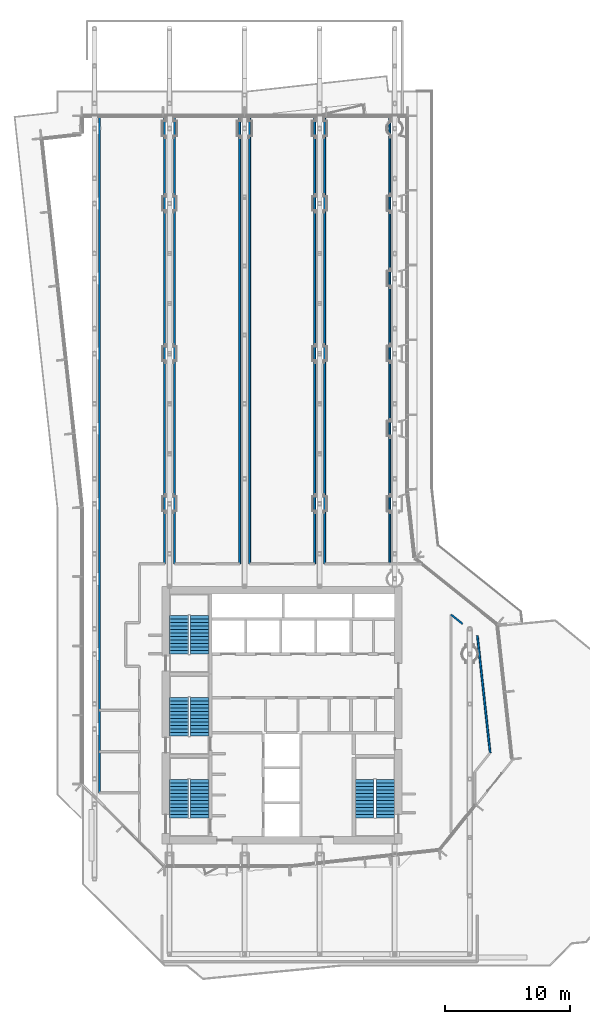
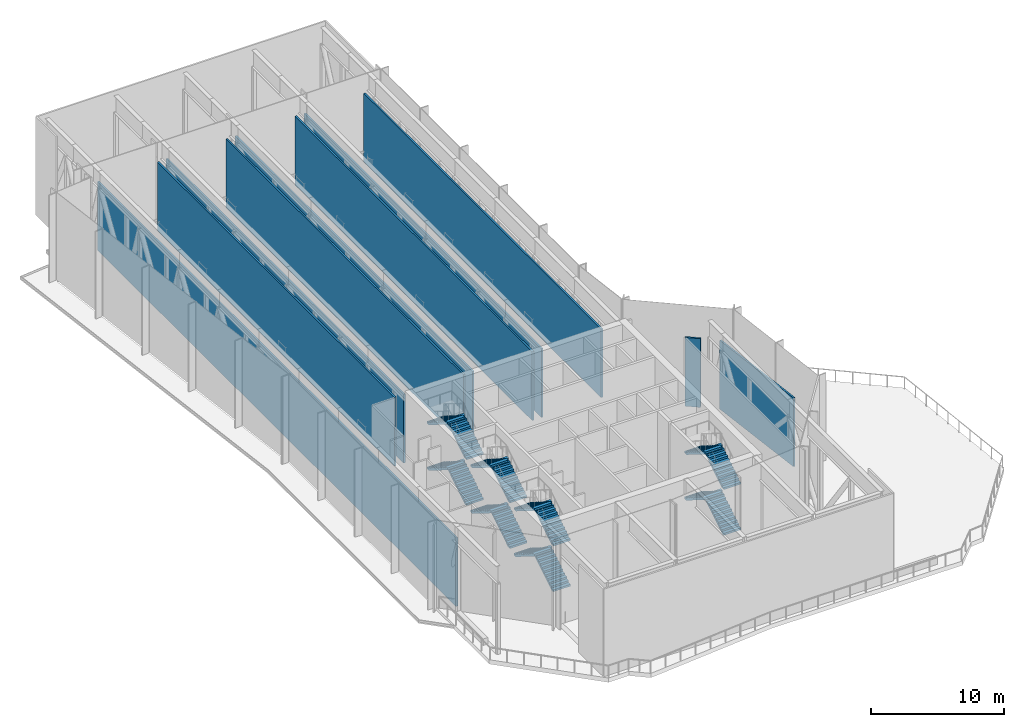
# One storey, part 14 of 22: 16 stair flights, 10 walls, 4 elements without a shape of their own.
"""IFC4 building model written with IfcOpenShell, lengths in metres."""

from ifc_helpers import new_model, si_unit, direction, frame, frame_2d, origin, place, context, subcontext, project, spatial, polyline, rectangle, outline, extrude, material, layer, layer_set, type_object, element, aggregate, save


model = new_model("IFC4")

# Units and contexts
model_context = context("Model", 3, precision=1e-05, world=origin(), true_north=direction((0.0, 1.0)))
body_context = subcontext(model_context, "Body", "Model", "MODEL_VIEW")
ifc_project = project(units=[si_unit("LENGTHUNIT", "METRE"), si_unit("AREAUNIT", "SQUARE_METRE"), si_unit("VOLUMEUNIT", "CUBIC_METRE"), si_unit("PLANEANGLEUNIT", "RADIAN"), si_unit("MASSUNIT", "GRAM", prefix="KILO")], contexts=[model_context])

# Site, building, storey
site_placement = place(None, origin())
site = spatial("IfcSite", under=ifc_project, at=site_placement, CompositionType="ELEMENT")
building_placement = place(site_placement, origin())
building = spatial("IfcBuilding", under=site, at=building_placement, Name="Welwitschia Terrace Campus", CompositionType="ELEMENT")
storey_placement = place(building_placement, frame((0.0, 0.0, 197.0)))
storey = spatial("IfcBuildingStorey", under=building, at=storey_placement, Name="L44", CompositionType="ELEMENT", Elevation=197.0)

# Walls
ifc_material_1 = material(Name="Gypsum board on steel studs", Category="steel")
ifc_layer = layer(ifc_material_1, 0.14990234375)
ifc_layer_set = layer_set([ifc_layer], Name="Gypsum board on steel studs")
wall_type = type_object("IfcWallType", Name="Corridor partition 150 EI 30", PredefinedType="PARTITIONING", material=ifc_layer_set)
wall_1_placement = place(storey_placement, frame((0.39990234375, 8.889892578125, 0.0), z_axis=(0.0, 0.0, 1.0), x_axis=(0.0, 1.0, 0.0)))
element("IfcWall", 1, at=wall_1_placement, inside=storey, type_object=wall_type, Name="Partition", PredefinedType="PARTITIONING", context=body_context, shape_type="SweptSolid", body=[
    extrude(rectangle(XDim=54.110107421875, YDim=0.14990234375, at=frame_2d((27.05517578125, 0.0))), origin(), (0.0, 0.0, 1.0), 6.330078125),
])
wall_2_placement = place(storey_placement, frame((5.60009765625, 27.199951171875, 0.0), z_axis=(0.0, 0.0, 1.0), x_axis=(0.0, 1.0, 0.0)))
element("IfcWall", 2, at=wall_2_placement, inside=storey, type_object=wall_type, Name="Partition", PredefinedType="PARTITIONING", context=body_context, shape_type="SweptSolid", body=[
    extrude(rectangle(XDim=35.76513671875, YDim=0.14990234375, at=frame_2d((17.882568359375, 0.0))), origin(), (0.0, 0.0, 1.0), 6.330078125),
])
for number, where, z_axis, x_axis, name in (
    (3, (6.39990234375, 27.199951171875, 0.0), (0.0, 0.0, 1.0), (0.0, 1.0, 0.0), "Partition"),
    (4, (11.60009765625, 27.199951171875, 0.0), (0.0, 0.0, 1.0), (0.0, 1.0, 0.0), "Partition"),
    (5, (12.39990234375, 27.199951171875, 0.0), (0.0, 0.0, 1.0), (0.0, 1.0, 0.0), "Partition"),
    (6, (17.60009765625, 27.199951171875, 0.0), (0.0, 0.0, 1.0), (0.0, 1.0, 0.0), "Partition"),
):
    element("IfcWall", number, at=place(storey_placement, frame(where, z_axis=z_axis, x_axis=x_axis)), inside=storey, type_object=wall_type, Name=name, PredefinedType="PARTITIONING", context=body_context, shape_type="SweptSolid", body=[
        extrude(rectangle(XDim=35.800048828125, YDim=0.14990234375, at=frame_2d((17.89990234375, 0.0))), origin(), (0.0, 0.0, 1.0), 6.330078125),
    ])
wall_3_placement = place(storey_placement, frame((18.39990234375, 27.199951171875, 0.0), z_axis=(0.0, 0.0, 1.0), x_axis=(0.0, 1.0, 0.0)))
element("IfcWall", 7, at=wall_3_placement, inside=storey, type_object=wall_type, Name="Partition", PredefinedType="PARTITIONING", context=body_context, shape_type="SweptSolid", body=[
    extrude(rectangle(XDim=35.76513671875, YDim=0.14990234375, at=frame_2d((17.882568359375, 0.0))), origin(), (0.0, 0.0, 1.0), 6.330078125),
])
wall_4_placement = place(storey_placement, frame((23.60009765625, 27.199951171875, 0.0), z_axis=(0.0, 0.0, 1.0), x_axis=(0.0, 1.0, 0.0)))
element("IfcWall", 8, at=wall_4_placement, inside=storey, type_object=wall_type, Name="Partition", PredefinedType="PARTITIONING", context=body_context, shape_type="SweptSolid", body=[
    extrude(rectangle(XDim=35.800048828125, YDim=0.14990234375, at=frame_2d((17.89990234375, 0.0))), origin(), (0.0, 0.0, 1.0), 6.330078125),
])
wall_5_placement = place(storey_placement, frame((28.5, 23.139892578125, 0.0), z_axis=(0.0, 0.0, 1.0), x_axis=(0.782489584665, -0.622663673174, 0.0)))
element("IfcWall", 9, at=wall_5_placement, inside=storey, type_object=wall_type, Name="Partition", PredefinedType="PARTITIONING", context=body_context, shape_type="SweptSolid", body=[
    extrude(rectangle(XDim=1.1884765625, YDim=0.14990234375, at=frame_2d((0.59423828125, 0.0))), origin(), (0.0, 0.0, 1.0), 6.330078125),
])
wall_6_placement = place(storey_placement, frame((30.610107421875, 21.449951171875, 0.0), z_axis=(0.0, 0.0, 1.0), x_axis=(0.108310995825, -0.994117059598, 0.0)))
element("IfcWall", 10, at=wall_6_placement, inside=storey, type_object=wall_type, Name="Partition", PredefinedType="PARTITIONING", context=body_context, shape_type="SweptSolid", body=[
    extrude(rectangle(XDim=9.415283203125, YDim=0.14990234375, at=frame_2d((4.70751953125, 0.0))), origin(), (0.0, 0.0, 1.0), 6.330078125),
])

# Stair, stair flights
ifc_material_2 = material(Name="Concrete C40/50", Category="concrete")
stair_type = type_object("IfcStairType", Name="Stair 48R 175 W1500", PredefinedType="HALF_TURN_STAIR", material=ifc_material_2)
stair_1_placement = place(storey_placement, origin())
stair_1 = element("IfcStair", 11, at=stair_1_placement, inside=storey, type_object=stair_type, Name="L44 Exit stair S1", PredefinedType="HALF_TURN_STAIR")
ifc_material_3 = material(Name="Concrete C40/50", Category="concrete")
stair_flight_type = type_object("IfcStairFlightType", Name="Stair flight 48R 175 W1500", PredefinedType="STRAIGHT", material=ifc_material_3)
stair_flight_1_placement = place(storey_placement, frame((8.39990234375, 6.89990234375, 0.0), z_axis=(0.0, 0.0, 1.0), x_axis=(0.0, 1.0, 0.0)))
stair_flight_1 = element("IfcStairFlight", 12, at=stair_flight_1_placement, type_object=stair_flight_type, Name="S1 flight 1", NumberOfRisers=12, NumberOfTreads=11, PredefinedType="STRAIGHT", RiserHeight=0.175, TreadLength=0.28, context=body_context, shape_type="SweptSolid", body=[
    extrude(outline(polyline([(0.0, 0.0), (0.0, 0.175048828125), (0.280029296875, 0.175048828125), (0.280029296875, 0.35009765625), (0.56005859375, 0.35009765625), (0.56005859375, 0.52490234375), (0.840087890625, 0.52490234375), (0.840087890625, 0.699951171875), (1.1201171875, 0.699951171875), (1.1201171875, 0.875), (1.39990234375, 0.875), (1.39990234375, 1.050048828125), (1.679931640625, 1.050048828125), (1.679931640625, 1.22509765625), (1.9599609375, 1.22509765625), (1.9599609375, 1.39990234375), (2.239990234375, 1.39990234375), (2.239990234375, 1.574951171875), (2.52001953125, 1.574951171875), (2.52001953125, 1.75), (2.800048828125, 1.75), (2.800048828125, 1.925048828125), (3.080078125, 1.925048828125), (3.080078125, 2.10009765625), (3.080078125, 1.748291015625), (0.28271484375, 0.0), (0.0, 0.0)])), frame((0.0, 0.75, 0.0), z_axis=(0.0, -1.0, 0.0), x_axis=(1.0, 0.0, 0.0)), (0.0, 0.0, 1.0), 1.5),
])
stair_flight_2_placement = place(storey_placement, frame((6.75, 9.97998046875, 2.10009765625), z_axis=(0.0, 0.0, 1.0), x_axis=(0.0, -1.0, 0.0)))
stair_flight_2 = element("IfcStairFlight", 13, at=stair_flight_2_placement, type_object=stair_flight_type, Name="S1 flight 2", NumberOfRisers=12, NumberOfTreads=11, PredefinedType="STRAIGHT", RiserHeight=0.175, TreadLength=0.28, context=body_context, shape_type="SweptSolid", body=[
    extrude(outline(polyline([(0.0, 0.0), (0.0, 0.175048828125), (0.280029296875, 0.175048828125), (0.280029296875, 0.35009765625), (0.56005859375, 0.35009765625), (0.56005859375, 0.52490234375), (0.840087890625, 0.52490234375), (0.840087890625, 0.699951171875), (1.1201171875, 0.699951171875), (1.1201171875, 0.875), (1.39990234375, 0.875), (1.39990234375, 1.050048828125), (1.679931640625, 1.050048828125), (1.679931640625, 1.22509765625), (1.9599609375, 1.22509765625), (1.9599609375, 1.39990234375), (2.239990234375, 1.39990234375), (2.239990234375, 1.574951171875), (2.52001953125, 1.574951171875), (2.52001953125, 1.75), (2.800048828125, 1.75), (2.800048828125, 1.925048828125), (3.080078125, 1.925048828125), (3.080078125, 2.10009765625), (3.080078125, 1.748291015625), (0.28271484375, 0.0), (0.0, 0.0)])), frame((0.0, 0.75, 0.0), z_axis=(0.0, -1.0, 0.0), x_axis=(1.0, 0.0, 0.0)), (0.0, 0.0, 1.0), 1.5),
])
stair_flight_3_placement = place(storey_placement, frame((8.39990234375, 6.89990234375, 4.199951171875), z_axis=(0.0, 0.0, 1.0), x_axis=(0.0, 1.0, 0.0)))
stair_flight_3 = element("IfcStairFlight", 14, at=stair_flight_3_placement, type_object=stair_flight_type, Name="S1 flight 3", NumberOfRisers=12, NumberOfTreads=11, PredefinedType="STRAIGHT", RiserHeight=0.175, TreadLength=0.28, context=body_context, shape_type="SweptSolid", body=[
    extrude(outline(polyline([(0.0, 0.0), (0.0, 0.175048828125), (0.280029296875, 0.175048828125), (0.280029296875, 0.35009765625), (0.56005859375, 0.35009765625), (0.56005859375, 0.52490234375), (0.840087890625, 0.52490234375), (0.840087890625, 0.699951171875), (1.1201171875, 0.699951171875), (1.1201171875, 0.875), (1.39990234375, 0.875), (1.39990234375, 1.050048828125), (1.679931640625, 1.050048828125), (1.679931640625, 1.22509765625), (1.9599609375, 1.22509765625), (1.9599609375, 1.39990234375), (2.239990234375, 1.39990234375), (2.239990234375, 1.574951171875), (2.52001953125, 1.574951171875), (2.52001953125, 1.75), (2.800048828125, 1.75), (2.800048828125, 1.925048828125), (3.080078125, 1.925048828125), (3.080078125, 2.10009765625), (3.080078125, 1.748291015625), (0.28271484375, 0.0), (0.0, 0.0)])), frame((0.0, 0.75, 0.0), z_axis=(0.0, -1.0, 0.0), x_axis=(1.0, 0.0, 0.0)), (0.0, 0.0, 1.0), 1.5),
])
stair_flight_4_placement = place(storey_placement, frame((6.75, 9.97998046875, 6.300048828125), z_axis=(0.0, 0.0, 1.0), x_axis=(0.0, -1.0, 0.0)))
stair_flight_4 = element("IfcStairFlight", 15, at=stair_flight_4_placement, type_object=stair_flight_type, Name="S1 flight 4", NumberOfRisers=12, NumberOfTreads=11, PredefinedType="STRAIGHT", RiserHeight=0.175, TreadLength=0.28, context=body_context, shape_type="SweptSolid", body=[
    extrude(outline(polyline([(0.0, 0.0), (0.0, 0.175048828125), (0.280029296875, 0.175048828125), (0.280029296875, 0.35009765625), (0.56005859375, 0.35009765625), (0.56005859375, 0.52490234375), (0.840087890625, 0.52490234375), (0.840087890625, 0.699951171875), (1.1201171875, 0.699951171875), (1.1201171875, 0.875), (1.39990234375, 0.875), (1.39990234375, 1.050048828125), (1.679931640625, 1.050048828125), (1.679931640625, 1.22509765625), (1.9599609375, 1.22509765625), (1.9599609375, 1.39990234375), (2.239990234375, 1.39990234375), (2.239990234375, 1.574951171875), (2.52001953125, 1.574951171875), (2.52001953125, 1.75), (2.800048828125, 1.75), (2.800048828125, 1.925048828125), (3.080078125, 1.925048828125), (3.080078125, 2.10009765625), (3.080078125, 1.748291015625), (0.28271484375, 0.0), (0.0, 0.0)])), frame((0.0, 0.75, 0.0), z_axis=(0.0, -1.0, 0.0), x_axis=(1.0, 0.0, 0.0)), (0.0, 0.0, 1.0), 1.5),
])
aggregate(stair_1, [stair_flight_1, stair_flight_2, stair_flight_3, stair_flight_4])

stair_2_placement = place(storey_placement, origin())
stair_2 = element("IfcStair", 16, at=stair_2_placement, inside=storey, type_object=stair_type, Name="L44 Exit stair S3", PredefinedType="HALF_TURN_STAIR")
stair_flight_5_placement = place(storey_placement, frame((8.39990234375, 13.449951171875, 0.0), z_axis=(0.0, 0.0, 1.0), x_axis=(0.0, 1.0, 0.0)))
stair_flight_5 = element("IfcStairFlight", 17, at=stair_flight_5_placement, type_object=stair_flight_type, Name="S3 flight 1", NumberOfRisers=12, NumberOfTreads=11, PredefinedType="STRAIGHT", RiserHeight=0.175, TreadLength=0.28, context=body_context, shape_type="SweptSolid", body=[
    extrude(outline(polyline([(0.0, 0.0), (0.0, 0.175048828125), (0.280029296875, 0.175048828125), (0.280029296875, 0.35009765625), (0.56005859375, 0.35009765625), (0.56005859375, 0.52490234375), (0.840087890625, 0.52490234375), (0.840087890625, 0.699951171875), (1.1201171875, 0.699951171875), (1.1201171875, 0.875), (1.39990234375, 0.875), (1.39990234375, 1.050048828125), (1.679931640625, 1.050048828125), (1.679931640625, 1.22509765625), (1.9599609375, 1.22509765625), (1.9599609375, 1.39990234375), (2.239990234375, 1.39990234375), (2.239990234375, 1.574951171875), (2.52001953125, 1.574951171875), (2.52001953125, 1.75), (2.800048828125, 1.75), (2.800048828125, 1.925048828125), (3.080078125, 1.925048828125), (3.080078125, 2.10009765625), (3.080078125, 1.748291015625), (0.28271484375, 0.0), (0.0, 0.0)])), frame((0.0, 0.75, 0.0), z_axis=(0.0, -1.0, 0.0), x_axis=(1.0, 0.0, 0.0)), (0.0, 0.0, 1.0), 1.5),
])
stair_flight_6_placement = place(storey_placement, frame((6.75, 16.530029296875, 2.10009765625), z_axis=(0.0, 0.0, 1.0), x_axis=(0.0, -1.0, 0.0)))
stair_flight_6 = element("IfcStairFlight", 18, at=stair_flight_6_placement, type_object=stair_flight_type, Name="S3 flight 2", NumberOfRisers=12, NumberOfTreads=11, PredefinedType="STRAIGHT", RiserHeight=0.175, TreadLength=0.28, context=body_context, shape_type="SweptSolid", body=[
    extrude(outline(polyline([(0.0, 0.0), (0.0, 0.175048828125), (0.280029296875, 0.175048828125), (0.280029296875, 0.35009765625), (0.56005859375, 0.35009765625), (0.56005859375, 0.52490234375), (0.840087890625, 0.52490234375), (0.840087890625, 0.699951171875), (1.1201171875, 0.699951171875), (1.1201171875, 0.875), (1.39990234375, 0.875), (1.39990234375, 1.050048828125), (1.679931640625, 1.050048828125), (1.679931640625, 1.22509765625), (1.9599609375, 1.22509765625), (1.9599609375, 1.39990234375), (2.239990234375, 1.39990234375), (2.239990234375, 1.574951171875), (2.52001953125, 1.574951171875), (2.52001953125, 1.75), (2.800048828125, 1.75), (2.800048828125, 1.925048828125), (3.080078125, 1.925048828125), (3.080078125, 2.10009765625), (3.080078125, 1.748291015625), (0.28271484375, 0.0), (0.0, 0.0)])), frame((0.0, 0.75, 0.0), z_axis=(0.0, -1.0, 0.0), x_axis=(1.0, 0.0, 0.0)), (0.0, 0.0, 1.0), 1.5),
])
stair_flight_7_placement = place(storey_placement, frame((8.39990234375, 13.449951171875, 4.199951171875), z_axis=(0.0, 0.0, 1.0), x_axis=(0.0, 1.0, 0.0)))
stair_flight_7 = element("IfcStairFlight", 19, at=stair_flight_7_placement, type_object=stair_flight_type, Name="S3 flight 3", NumberOfRisers=12, NumberOfTreads=11, PredefinedType="STRAIGHT", RiserHeight=0.175, TreadLength=0.28, context=body_context, shape_type="SweptSolid", body=[
    extrude(outline(polyline([(0.0, 0.0), (0.0, 0.175048828125), (0.280029296875, 0.175048828125), (0.280029296875, 0.35009765625), (0.56005859375, 0.35009765625), (0.56005859375, 0.52490234375), (0.840087890625, 0.52490234375), (0.840087890625, 0.699951171875), (1.1201171875, 0.699951171875), (1.1201171875, 0.875), (1.39990234375, 0.875), (1.39990234375, 1.050048828125), (1.679931640625, 1.050048828125), (1.679931640625, 1.22509765625), (1.9599609375, 1.22509765625), (1.9599609375, 1.39990234375), (2.239990234375, 1.39990234375), (2.239990234375, 1.574951171875), (2.52001953125, 1.574951171875), (2.52001953125, 1.75), (2.800048828125, 1.75), (2.800048828125, 1.925048828125), (3.080078125, 1.925048828125), (3.080078125, 2.10009765625), (3.080078125, 1.748291015625), (0.28271484375, 0.0), (0.0, 0.0)])), frame((0.0, 0.75, 0.0), z_axis=(0.0, -1.0, 0.0), x_axis=(1.0, 0.0, 0.0)), (0.0, 0.0, 1.0), 1.5),
])
stair_flight_8_placement = place(storey_placement, frame((6.75, 16.530029296875, 6.300048828125), z_axis=(0.0, 0.0, 1.0), x_axis=(0.0, -1.0, 0.0)))
stair_flight_8 = element("IfcStairFlight", 20, at=stair_flight_8_placement, type_object=stair_flight_type, Name="S3 flight 4", NumberOfRisers=12, NumberOfTreads=11, PredefinedType="STRAIGHT", RiserHeight=0.175, TreadLength=0.28, context=body_context, shape_type="SweptSolid", body=[
    extrude(outline(polyline([(0.0, 0.0), (0.0, 0.175048828125), (0.280029296875, 0.175048828125), (0.280029296875, 0.35009765625), (0.56005859375, 0.35009765625), (0.56005859375, 0.52490234375), (0.840087890625, 0.52490234375), (0.840087890625, 0.699951171875), (1.1201171875, 0.699951171875), (1.1201171875, 0.875), (1.39990234375, 0.875), (1.39990234375, 1.050048828125), (1.679931640625, 1.050048828125), (1.679931640625, 1.22509765625), (1.9599609375, 1.22509765625), (1.9599609375, 1.39990234375), (2.239990234375, 1.39990234375), (2.239990234375, 1.574951171875), (2.52001953125, 1.574951171875), (2.52001953125, 1.75), (2.800048828125, 1.75), (2.800048828125, 1.925048828125), (3.080078125, 1.925048828125), (3.080078125, 2.10009765625), (3.080078125, 1.748291015625), (0.28271484375, 0.0), (0.0, 0.0)])), frame((0.0, 0.75, 0.0), z_axis=(0.0, -1.0, 0.0), x_axis=(1.0, 0.0, 0.0)), (0.0, 0.0, 1.0), 1.5),
])
aggregate(stair_2, [stair_flight_5, stair_flight_6, stair_flight_7, stair_flight_8])

stair_3_placement = place(storey_placement, origin())
stair_3 = element("IfcStair", 21, at=stair_3_placement, inside=storey, type_object=stair_type, Name="L44 Exit stair S4", PredefinedType="HALF_TURN_STAIR")
stair_flight_9_placement = place(storey_placement, frame((8.39990234375, 20.0, 0.0), z_axis=(0.0, 0.0, 1.0), x_axis=(0.0, 1.0, 0.0)))
stair_flight_9 = element("IfcStairFlight", 22, at=stair_flight_9_placement, type_object=stair_flight_type, Name="S4 flight 1", NumberOfRisers=12, NumberOfTreads=11, PredefinedType="STRAIGHT", RiserHeight=0.175, TreadLength=0.28, context=body_context, shape_type="SweptSolid", body=[
    extrude(outline(polyline([(0.0, 0.0), (0.0, 0.175048828125), (0.280029296875, 0.175048828125), (0.280029296875, 0.35009765625), (0.56005859375, 0.35009765625), (0.56005859375, 0.52490234375), (0.840087890625, 0.52490234375), (0.840087890625, 0.699951171875), (1.1201171875, 0.699951171875), (1.1201171875, 0.875), (1.39990234375, 0.875), (1.39990234375, 1.050048828125), (1.679931640625, 1.050048828125), (1.679931640625, 1.22509765625), (1.9599609375, 1.22509765625), (1.9599609375, 1.39990234375), (2.239990234375, 1.39990234375), (2.239990234375, 1.574951171875), (2.52001953125, 1.574951171875), (2.52001953125, 1.75), (2.800048828125, 1.75), (2.800048828125, 1.925048828125), (3.080078125, 1.925048828125), (3.080078125, 2.10009765625), (3.080078125, 1.748291015625), (0.28271484375, 0.0), (0.0, 0.0)])), frame((0.0, 0.75, 0.0), z_axis=(0.0, -1.0, 0.0), x_axis=(1.0, 0.0, 0.0)), (0.0, 0.0, 1.0), 1.5),
])
stair_flight_10_placement = place(storey_placement, frame((6.75, 23.080078125, 2.10009765625), z_axis=(0.0, 0.0, 1.0), x_axis=(0.0, -1.0, 0.0)))
stair_flight_10 = element("IfcStairFlight", 23, at=stair_flight_10_placement, type_object=stair_flight_type, Name="S4 flight 2", NumberOfRisers=12, NumberOfTreads=11, PredefinedType="STRAIGHT", RiserHeight=0.175, TreadLength=0.28, context=body_context, shape_type="SweptSolid", body=[
    extrude(outline(polyline([(0.0, 0.0), (0.0, 0.175048828125), (0.280029296875, 0.175048828125), (0.280029296875, 0.35009765625), (0.56005859375, 0.35009765625), (0.56005859375, 0.52490234375), (0.840087890625, 0.52490234375), (0.840087890625, 0.699951171875), (1.1201171875, 0.699951171875), (1.1201171875, 0.875), (1.39990234375, 0.875), (1.39990234375, 1.050048828125), (1.679931640625, 1.050048828125), (1.679931640625, 1.22509765625), (1.9599609375, 1.22509765625), (1.9599609375, 1.39990234375), (2.239990234375, 1.39990234375), (2.239990234375, 1.574951171875), (2.52001953125, 1.574951171875), (2.52001953125, 1.75), (2.800048828125, 1.75), (2.800048828125, 1.925048828125), (3.080078125, 1.925048828125), (3.080078125, 2.10009765625), (3.080078125, 1.748291015625), (0.28271484375, 0.0), (0.0, 0.0)])), frame((0.0, 0.75, 0.0), z_axis=(0.0, -1.0, 0.0), x_axis=(1.0, 0.0, 0.0)), (0.0, 0.0, 1.0), 1.5),
])
stair_flight_11_placement = place(storey_placement, frame((8.39990234375, 20.0, 4.199951171875), z_axis=(0.0, 0.0, 1.0), x_axis=(0.0, 1.0, 0.0)))
stair_flight_11 = element("IfcStairFlight", 24, at=stair_flight_11_placement, type_object=stair_flight_type, Name="S4 flight 3", NumberOfRisers=12, NumberOfTreads=11, PredefinedType="STRAIGHT", RiserHeight=0.175, TreadLength=0.28, context=body_context, shape_type="SweptSolid", body=[
    extrude(outline(polyline([(0.0, 0.0), (0.0, 0.175048828125), (0.280029296875, 0.175048828125), (0.280029296875, 0.35009765625), (0.56005859375, 0.35009765625), (0.56005859375, 0.52490234375), (0.840087890625, 0.52490234375), (0.840087890625, 0.699951171875), (1.1201171875, 0.699951171875), (1.1201171875, 0.875), (1.39990234375, 0.875), (1.39990234375, 1.050048828125), (1.679931640625, 1.050048828125), (1.679931640625, 1.22509765625), (1.9599609375, 1.22509765625), (1.9599609375, 1.39990234375), (2.239990234375, 1.39990234375), (2.239990234375, 1.574951171875), (2.52001953125, 1.574951171875), (2.52001953125, 1.75), (2.800048828125, 1.75), (2.800048828125, 1.925048828125), (3.080078125, 1.925048828125), (3.080078125, 2.10009765625), (3.080078125, 1.748291015625), (0.28271484375, 0.0), (0.0, 0.0)])), frame((0.0, 0.75, 0.0), z_axis=(0.0, -1.0, 0.0), x_axis=(1.0, 0.0, 0.0)), (0.0, 0.0, 1.0), 1.5),
])
stair_flight_12_placement = place(storey_placement, frame((6.75, 23.080078125, 6.300048828125), z_axis=(0.0, 0.0, 1.0), x_axis=(0.0, -1.0, 0.0)))
stair_flight_12 = element("IfcStairFlight", 25, at=stair_flight_12_placement, type_object=stair_flight_type, Name="S4 flight 4", NumberOfRisers=12, NumberOfTreads=11, PredefinedType="STRAIGHT", RiserHeight=0.175, TreadLength=0.28, context=body_context, shape_type="SweptSolid", body=[
    extrude(outline(polyline([(0.0, 0.0), (0.0, 0.175048828125), (0.280029296875, 0.175048828125), (0.280029296875, 0.35009765625), (0.56005859375, 0.35009765625), (0.56005859375, 0.52490234375), (0.840087890625, 0.52490234375), (0.840087890625, 0.699951171875), (1.1201171875, 0.699951171875), (1.1201171875, 0.875), (1.39990234375, 0.875), (1.39990234375, 1.050048828125), (1.679931640625, 1.050048828125), (1.679931640625, 1.22509765625), (1.9599609375, 1.22509765625), (1.9599609375, 1.39990234375), (2.239990234375, 1.39990234375), (2.239990234375, 1.574951171875), (2.52001953125, 1.574951171875), (2.52001953125, 1.75), (2.800048828125, 1.75), (2.800048828125, 1.925048828125), (3.080078125, 1.925048828125), (3.080078125, 2.10009765625), (3.080078125, 1.748291015625), (0.28271484375, 0.0), (0.0, 0.0)])), frame((0.0, 0.75, 0.0), z_axis=(0.0, -1.0, 0.0), x_axis=(1.0, 0.0, 0.0)), (0.0, 0.0, 1.0), 1.5),
])
aggregate(stair_3, [stair_flight_9, stair_flight_10, stair_flight_11, stair_flight_12])

stair_4_placement = place(storey_placement, origin())
stair_4 = element("IfcStair", 26, at=stair_4_placement, inside=storey, type_object=stair_type, Name="L44 Exit stair S2", PredefinedType="HALF_TURN_STAIR")
stair_flight_13_placement = place(storey_placement, frame((23.25, 6.89990234375, 0.0), z_axis=(0.0, 0.0, 1.0), x_axis=(0.0, 1.0, 0.0)))
stair_flight_13 = element("IfcStairFlight", 27, at=stair_flight_13_placement, type_object=stair_flight_type, Name="S2 flight 1", NumberOfRisers=12, NumberOfTreads=11, PredefinedType="STRAIGHT", RiserHeight=0.175, TreadLength=0.28, context=body_context, shape_type="SweptSolid", body=[
    extrude(outline(polyline([(0.0, 0.0), (0.0, 0.175048828125), (0.280029296875, 0.175048828125), (0.280029296875, 0.35009765625), (0.56005859375, 0.35009765625), (0.56005859375, 0.52490234375), (0.840087890625, 0.52490234375), (0.840087890625, 0.699951171875), (1.1201171875, 0.699951171875), (1.1201171875, 0.875), (1.39990234375, 0.875), (1.39990234375, 1.050048828125), (1.679931640625, 1.050048828125), (1.679931640625, 1.22509765625), (1.9599609375, 1.22509765625), (1.9599609375, 1.39990234375), (2.239990234375, 1.39990234375), (2.239990234375, 1.574951171875), (2.52001953125, 1.574951171875), (2.52001953125, 1.75), (2.800048828125, 1.75), (2.800048828125, 1.925048828125), (3.080078125, 1.925048828125), (3.080078125, 2.10009765625), (3.080078125, 1.748291015625), (0.28271484375, 0.0), (0.0, 0.0)])), frame((0.0, 0.75, 0.0), z_axis=(0.0, -1.0, 0.0), x_axis=(1.0, 0.0, 0.0)), (0.0, 0.0, 1.0), 1.5),
])
stair_flight_14_placement = place(storey_placement, frame((21.60009765625, 9.97998046875, 2.10009765625), z_axis=(0.0, 0.0, 1.0), x_axis=(0.0, -1.0, 0.0)))
stair_flight_14 = element("IfcStairFlight", 28, at=stair_flight_14_placement, type_object=stair_flight_type, Name="S2 flight 2", NumberOfRisers=12, NumberOfTreads=11, PredefinedType="STRAIGHT", RiserHeight=0.175, TreadLength=0.28, context=body_context, shape_type="SweptSolid", body=[
    extrude(outline(polyline([(0.0, 0.0), (0.0, 0.175048828125), (0.280029296875, 0.175048828125), (0.280029296875, 0.35009765625), (0.56005859375, 0.35009765625), (0.56005859375, 0.52490234375), (0.840087890625, 0.52490234375), (0.840087890625, 0.699951171875), (1.1201171875, 0.699951171875), (1.1201171875, 0.875), (1.39990234375, 0.875), (1.39990234375, 1.050048828125), (1.679931640625, 1.050048828125), (1.679931640625, 1.22509765625), (1.9599609375, 1.22509765625), (1.9599609375, 1.39990234375), (2.239990234375, 1.39990234375), (2.239990234375, 1.574951171875), (2.52001953125, 1.574951171875), (2.52001953125, 1.75), (2.800048828125, 1.75), (2.800048828125, 1.925048828125), (3.080078125, 1.925048828125), (3.080078125, 2.10009765625), (3.080078125, 1.748291015625), (0.28271484375, 0.0), (0.0, 0.0)])), frame((0.0, 0.75, 0.0), z_axis=(0.0, -1.0, 0.0), x_axis=(1.0, 0.0, 0.0)), (0.0, 0.0, 1.0), 1.5),
])
stair_flight_15_placement = place(storey_placement, frame((23.25, 6.89990234375, 4.199951171875), z_axis=(0.0, 0.0, 1.0), x_axis=(0.0, 1.0, 0.0)))
stair_flight_15 = element("IfcStairFlight", 29, at=stair_flight_15_placement, type_object=stair_flight_type, Name="S2 flight 3", NumberOfRisers=12, NumberOfTreads=11, PredefinedType="STRAIGHT", RiserHeight=0.175, TreadLength=0.28, context=body_context, shape_type="SweptSolid", body=[
    extrude(outline(polyline([(0.0, 0.0), (0.0, 0.175048828125), (0.280029296875, 0.175048828125), (0.280029296875, 0.35009765625), (0.56005859375, 0.35009765625), (0.56005859375, 0.52490234375), (0.840087890625, 0.52490234375), (0.840087890625, 0.699951171875), (1.1201171875, 0.699951171875), (1.1201171875, 0.875), (1.39990234375, 0.875), (1.39990234375, 1.050048828125), (1.679931640625, 1.050048828125), (1.679931640625, 1.22509765625), (1.9599609375, 1.22509765625), (1.9599609375, 1.39990234375), (2.239990234375, 1.39990234375), (2.239990234375, 1.574951171875), (2.52001953125, 1.574951171875), (2.52001953125, 1.75), (2.800048828125, 1.75), (2.800048828125, 1.925048828125), (3.080078125, 1.925048828125), (3.080078125, 2.10009765625), (3.080078125, 1.748291015625), (0.28271484375, 0.0), (0.0, 0.0)])), frame((0.0, 0.75, 0.0), z_axis=(0.0, -1.0, 0.0), x_axis=(1.0, 0.0, 0.0)), (0.0, 0.0, 1.0), 1.5),
])
stair_flight_16_placement = place(storey_placement, frame((21.60009765625, 9.97998046875, 6.300048828125), z_axis=(0.0, 0.0, 1.0), x_axis=(0.0, -1.0, 0.0)))
stair_flight_16 = element("IfcStairFlight", 30, at=stair_flight_16_placement, type_object=stair_flight_type, Name="S2 flight 4", NumberOfRisers=12, NumberOfTreads=11, PredefinedType="STRAIGHT", RiserHeight=0.175, TreadLength=0.28, context=body_context, shape_type="SweptSolid", body=[
    extrude(outline(polyline([(0.0, 0.0), (0.0, 0.175048828125), (0.280029296875, 0.175048828125), (0.280029296875, 0.35009765625), (0.56005859375, 0.35009765625), (0.56005859375, 0.52490234375), (0.840087890625, 0.52490234375), (0.840087890625, 0.699951171875), (1.1201171875, 0.699951171875), (1.1201171875, 0.875), (1.39990234375, 0.875), (1.39990234375, 1.050048828125), (1.679931640625, 1.050048828125), (1.679931640625, 1.22509765625), (1.9599609375, 1.22509765625), (1.9599609375, 1.39990234375), (2.239990234375, 1.39990234375), (2.239990234375, 1.574951171875), (2.52001953125, 1.574951171875), (2.52001953125, 1.75), (2.800048828125, 1.75), (2.800048828125, 1.925048828125), (3.080078125, 1.925048828125), (3.080078125, 2.10009765625), (3.080078125, 1.748291015625), (0.28271484375, 0.0), (0.0, 0.0)])), frame((0.0, 0.75, 0.0), z_axis=(0.0, -1.0, 0.0), x_axis=(1.0, 0.0, 0.0)), (0.0, 0.0, 1.0), 1.5),
])
aggregate(stair_4, [stair_flight_13, stair_flight_14, stair_flight_15, stair_flight_16])

save(model, "model.ifc")
